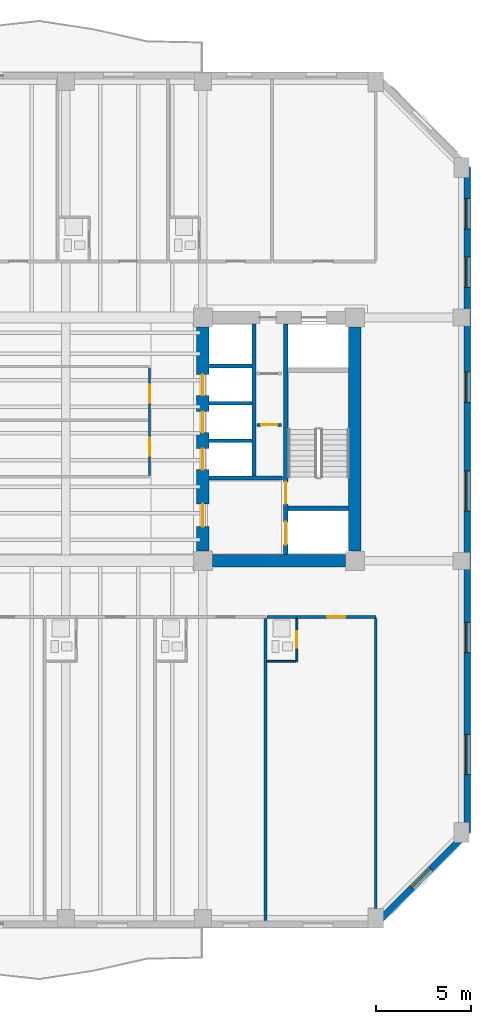
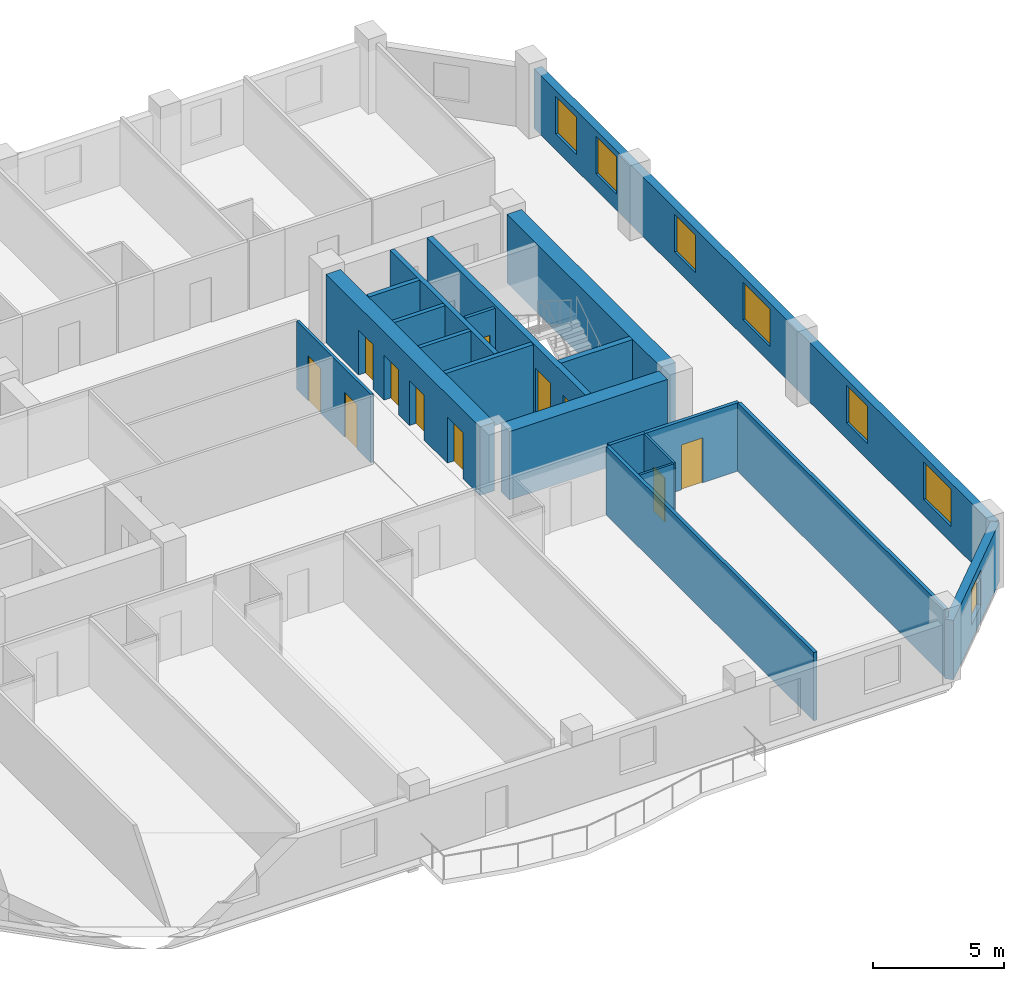
# One storey, part 4 of 11: 20 walls, 11 doors, 7 windows, 18 openings.
"""IFC4 building model written with IfcOpenShell, lengths in metres."""

from ifc_helpers import new_model, si_unit, direction, frame, frame_2d, origin, place, context, subcontext, project, spatial, rectangle, extrude, material, layer, layer_set, type_object, element, fill, save


model = new_model("IFC4")

# Units and contexts
model_context = context("Model", 3, precision=1e-05, world=origin(), true_north=direction((0.0, 1.0)))
body_context = subcontext(model_context, "Body", "Model", "MODEL_VIEW")
ifc_project = project(units=[si_unit("LENGTHUNIT", "METRE"), si_unit("AREAUNIT", "SQUARE_METRE"), si_unit("VOLUMEUNIT", "CUBIC_METRE"), si_unit("PLANEANGLEUNIT", "RADIAN"), si_unit("MASSUNIT", "GRAM", prefix="KILO")], contexts=[model_context])

# Site, building, storey
site_placement = place(None, origin())
site = spatial("IfcSite", under=ifc_project, at=site_placement, CompositionType="ELEMENT")
building_placement = place(site_placement, origin())
building = spatial("IfcBuilding", under=site, at=building_placement, Name="Kranthara Brick Stack", CompositionType="ELEMENT")
storey_placement = place(building_placement, frame((0.0, 0.0, 134.300048828125)))
storey = spatial("IfcBuildingStorey", under=building, at=storey_placement, Name="L33", CompositionType="ELEMENT", Elevation=134.300048828125)

# Wall, openings, windows
ifc_material_1 = material(Name="Kiln-fired clay brick masonry M15", Category="masonry")
ifc_layer_1 = layer(ifc_material_1, 0.35009765625)
ifc_layer_set_1 = layer_set([ifc_layer_1], Name="Kiln-fired clay brick masonry M15")
wall_type_1 = type_object("IfcWallType", Name="WL-BRK-SPND-350", PredefinedType="STANDARD", material=ifc_layer_set_1)
wall_1_placement = place(storey_placement, frame((49.10498046875, 41.5, 0.0), z_axis=(0.0, 0.0, 1.0), x_axis=(0.0, -1.0, 0.0)))
wall_1 = element("IfcWall", 1, at=wall_1_placement, inside=storey, type_object=wall_type_1, Name="L33 Exterior Brick Facade Wall EAST 1", PredefinedType="STANDARD", context=body_context, shape_type="SweptSolid", body=[
    extrude(rectangle(XDim=35.0, YDim=0.35009765625, at=frame_2d((17.5, 0.0))), origin(), (0.0, 0.0, 1.0), 2.784912109375),
])
opening_1_placement = place(wall_1_placement, frame((1.64501953125, 0.0, 0.75)))
opening_1 = element("IfcOpeningElement", 2, at=opening_1_placement, cuts=wall_1, Name="Opening WN04", PredefinedType="OPENING", context=body_context, shape_type="SweptSolid", body=[
    extrude(rectangle(XDim=1.60009765625, YDim=1.75, at=frame_2d((0.800048828125, 0.875))), frame((0.0, 0.18505859375, 0.0), z_axis=(0.0, -1.0, 0.0), x_axis=(1.0, 0.0, 0.0)), (0.0, 0.0, 1.0), 0.3701171875),
])
opening_2_placement = place(wall_1_placement, frame((4.72900390625, 0.0, 0.75)))
opening_2 = element("IfcOpeningElement", 3, at=opening_2_placement, cuts=wall_1, Name="Opening WN04", PredefinedType="OPENING", context=body_context, shape_type="SweptSolid", body=[
    extrude(rectangle(XDim=1.60009765625, YDim=1.75, at=frame_2d((0.800048828125, 0.875))), frame((0.0, 0.18505859375, 0.0), z_axis=(0.0, -1.0, 0.0), x_axis=(1.0, 0.0, 0.0)), (0.0, 0.0, 1.0), 0.3701171875),
])
opening_3_placement = place(wall_1_placement, frame((10.763916015625, 0.0, 0.75)))
opening_3 = element("IfcOpeningElement", 4, at=opening_3_placement, cuts=wall_1, Name="Opening WN04", PredefinedType="OPENING", context=body_context, shape_type="SweptSolid", body=[
    extrude(rectangle(XDim=1.60009765625, YDim=1.75, at=frame_2d((0.800048828125, 0.875))), frame((0.0, 0.18505859375, 0.0), z_axis=(0.0, -1.0, 0.0), x_axis=(1.0, 0.0, 0.0)), (0.0, 0.0, 1.0), 0.3701171875),
])
opening_4_placement = place(wall_1_placement, frame((15.986083984375, 0.0, 0.75)))
opening_4 = element("IfcOpeningElement", 5, at=opening_4_placement, cuts=wall_1, Name="Opening WN05", PredefinedType="OPENING", context=body_context, shape_type="SweptSolid", body=[
    extrude(rectangle(XDim=2.10009765625, YDim=1.75, at=frame_2d((1.050048828125, 0.875))), frame((0.0, 0.18505859375, 0.0), z_axis=(0.0, -1.0, 0.0), x_axis=(1.0, 0.0, 0.0)), (0.0, 0.0, 1.0), 0.3701171875),
])
opening_5_placement = place(wall_1_placement, frame((23.93408203125, 0.0, 0.75)))
opening_5 = element("IfcOpeningElement", 6, at=opening_5_placement, cuts=wall_1, Name="Opening WN04", PredefinedType="OPENING", context=body_context, shape_type="SweptSolid", body=[
    extrude(rectangle(XDim=1.60009765625, YDim=1.75, at=frame_2d((0.800048828125, 0.875))), frame((0.0, 0.18505859375, 0.0), z_axis=(0.0, -1.0, 0.0), x_axis=(1.0, 0.0, 0.0)), (0.0, 0.0, 1.0), 0.3701171875),
])
opening_6_placement = place(wall_1_placement, frame((29.841064453125, 0.0, 0.75)))
opening_6 = element("IfcOpeningElement", 7, at=opening_6_placement, cuts=wall_1, Name="Opening WN05", PredefinedType="OPENING", context=body_context, shape_type="SweptSolid", body=[
    extrude(rectangle(XDim=2.10009765625, YDim=1.75, at=frame_2d((1.050048828125, 0.875))), frame((0.0, 0.18505859375, 0.0), z_axis=(0.0, -1.0, 0.0), x_axis=(1.0, 0.0, 0.0)), (0.0, 0.0, 1.0), 0.3701171875),
])
ifc_material_2 = material(Name="Double-glazed low-E solar control glass", Category="glass")
window_type_1 = type_object("IfcWindowType", Name="WN-HTL-1600x1850", PartitioningType="DOUBLE_PANEL_VERTICAL", PredefinedType="WINDOW", material=ifc_material_2)
window_1_placement = place(opening_1_placement, origin())
window_1 = element("IfcWindow", 8, at=window_1_placement, inside=storey, type_object=window_type_1, Name="L33 East Deep-Set Brick Window 01", OverallHeight=1.75, OverallWidth=1.60009765625, PartitioningType="SINGLE_PANEL", PredefinedType="WINDOW", context=body_context, shape_type="SweptSolid", body=[
    extrude(rectangle(XDim=1.60009765625, YDim=1.75, at=frame_2d((0.800048828125, 0.875))), frame((0.0, -0.010009765625, 0.0), z_axis=(0.0, -1.0, 0.0), x_axis=(1.0, 0.0, 0.0)), (0.0, 0.0, 1.0), 0.06005859375),
])
fill(opening_1, window_1)
window_2_placement = place(opening_2_placement, origin())
window_2 = element("IfcWindow", 9, at=window_2_placement, inside=storey, type_object=window_type_1, Name="L33 East Deep-Set Brick Window 02", OverallHeight=1.75, OverallWidth=1.60009765625, PartitioningType="SINGLE_PANEL", PredefinedType="WINDOW", context=body_context, shape_type="SweptSolid", body=[
    extrude(rectangle(XDim=1.60009765625, YDim=1.75, at=frame_2d((0.800048828125, 0.875))), frame((0.0, -0.010009765625, 0.0), z_axis=(0.0, -1.0, 0.0), x_axis=(1.0, 0.0, 0.0)), (0.0, 0.0, 1.0), 0.06005859375),
])
fill(opening_2, window_2)
window_3_placement = place(opening_3_placement, origin())
window_3 = element("IfcWindow", 10, at=window_3_placement, inside=storey, type_object=window_type_1, Name="L33 East Deep-Set Brick Window 03", OverallHeight=1.75, OverallWidth=1.60009765625, PartitioningType="SINGLE_PANEL", PredefinedType="WINDOW", context=body_context, shape_type="SweptSolid", body=[
    extrude(rectangle(XDim=1.60009765625, YDim=1.75, at=frame_2d((0.800048828125, 0.875))), frame((0.0, -0.010009765625, 0.0), z_axis=(0.0, -1.0, 0.0), x_axis=(1.0, 0.0, 0.0)), (0.0, 0.0, 1.0), 0.06005859375),
])
fill(opening_3, window_3)
window_4_placement = place(opening_5_placement, origin())
window_4 = element("IfcWindow", 11, at=window_4_placement, inside=storey, type_object=window_type_1, Name="L33 East Deep-Set Brick Window 05", OverallHeight=1.75, OverallWidth=1.60009765625, PartitioningType="SINGLE_PANEL", PredefinedType="WINDOW", context=body_context, shape_type="SweptSolid", body=[
    extrude(rectangle(XDim=1.60009765625, YDim=1.75, at=frame_2d((0.800048828125, 0.875))), frame((0.0, -0.010009765625, 0.0), z_axis=(0.0, -1.0, 0.0), x_axis=(1.0, 0.0, 0.0)), (0.0, 0.0, 1.0), 0.06005859375),
])
fill(opening_5, window_4)
ifc_material_3 = material(Name="Double-glazed low-E solar control glass", Category="glass")
window_type_2 = type_object("IfcWindowType", Name="WN-HTL-2100x1850", PartitioningType="DOUBLE_PANEL_VERTICAL", PredefinedType="WINDOW", material=ifc_material_3)
window_5_placement = place(opening_4_placement, origin())
window_5 = element("IfcWindow", 12, at=window_5_placement, inside=storey, type_object=window_type_2, Name="L33 East Deep-Set Brick Window 04", OverallHeight=1.75, OverallWidth=2.10009765625, PartitioningType="SINGLE_PANEL", PredefinedType="WINDOW", context=body_context, shape_type="SweptSolid", body=[
    extrude(rectangle(XDim=2.10009765625, YDim=1.75, at=frame_2d((1.050048828125, 0.875))), frame((0.0, -0.010009765625, 0.0), z_axis=(0.0, -1.0, 0.0), x_axis=(1.0, 0.0, 0.0)), (0.0, 0.0, 1.0), 0.06005859375),
])
fill(opening_4, window_5)
window_6_placement = place(opening_6_placement, origin())
window_6 = element("IfcWindow", 13, at=window_6_placement, inside=storey, type_object=window_type_2, Name="L33 East Deep-Set Brick Window 06", OverallHeight=1.75, OverallWidth=2.10009765625, PartitioningType="SINGLE_PANEL", PredefinedType="WINDOW", context=body_context, shape_type="SweptSolid", body=[
    extrude(rectangle(XDim=2.10009765625, YDim=1.75, at=frame_2d((1.050048828125, 0.875))), frame((0.0, -0.010009765625, 0.0), z_axis=(0.0, -1.0, 0.0), x_axis=(1.0, 0.0, 0.0)), (0.0, 0.0, 1.0), 0.06005859375),
])
fill(opening_6, window_6)

# Wall, opening, window
wall_2_placement = place(storey_placement, frame((49.10498046875, 6.5, 0.0), z_axis=(0.0, 0.0, 1.0), x_axis=(-0.707106781187, -0.707106781187, 0.0)))
wall_2 = element("IfcWall", 14, at=wall_2_placement, inside=storey, type_object=wall_type_1, Name="L33 Exterior Brick Facade Wall SE 1", PredefinedType="STANDARD", context=body_context, shape_type="SweptSolid", body=[
    extrude(rectangle(XDim=6.795166015625, YDim=0.35009765625, at=frame_2d((3.3974609375, 0.0))), origin(), (0.0, 0.0, 1.0), 2.784912109375),
])
opening_7_placement = place(wall_2_placement, frame((2.697998046875, 0.0, 0.75)))
opening_7 = element("IfcOpeningElement", 15, at=opening_7_placement, cuts=wall_2, Name="Opening WN10", PredefinedType="OPENING", context=body_context, shape_type="SweptSolid", body=[
    extrude(rectangle(XDim=1.39990234375, YDim=1.64990234375, at=frame_2d((0.699951171875, 0.824951171875))), frame((0.0, 0.18505859375, 0.0), z_axis=(0.0, -1.0, 0.0), x_axis=(1.0, 0.0, 0.0)), (0.0, 0.0, 1.0), 0.3701171875),
])
ifc_material_4 = material(Name="Double-glazed low-E solar control glass", Category="glass")
window_type_3 = type_object("IfcWindowType", Name="WN-CHM-1400x1750", PartitioningType="SINGLE_PANEL", PredefinedType="WINDOW", material=ifc_material_4)
window_7_placement = place(opening_7_placement, origin())
window_7 = element("IfcWindow", 16, at=window_7_placement, inside=storey, type_object=window_type_3, Name="L33 SE Chamfer Corner Window", OverallHeight=1.64990234375, OverallWidth=1.39990234375, PartitioningType="SINGLE_PANEL", PredefinedType="WINDOW", context=body_context, shape_type="SweptSolid", body=[
    extrude(rectangle(XDim=1.39990234375, YDim=1.64990234375, at=frame_2d((0.699951171875, 0.824951171875))), frame((0.0, -0.010009765625, 0.0), z_axis=(0.0, -1.0, 0.0), x_axis=(1.0, 0.0, 0.0)), (0.0, 0.0, 1.0), 0.06005859375),
])
fill(opening_7, window_7)

# Wall, openings, doors
ifc_material_5 = material(Name="Concrete C50/60", Category="concrete")
ifc_layer_2 = layer(ifc_material_5, 0.25)
ifc_layer_set_2 = layer_set([ifc_layer_2], Name="Concrete C50/60")
wall_type_2 = type_object("IfcWallType", Name="WL-CORE-250", PredefinedType="SHEAR", material=ifc_layer_set_2)
wall_3_placement = place(storey_placement, frame((39.56494140625, 21.135009765625, 0.0), z_axis=(0.0, 0.0, 1.0), x_axis=(0.0, 1.0, 0.0)))
wall_3 = element("IfcWall", 17, at=wall_3_placement, inside=storey, type_object=wall_type_2, Name="L33 East Core Stair Bearing Spine Wall", PredefinedType="SHEAR", context=body_context, shape_type="SweptSolid", body=[
    extrude(rectangle(XDim=12.1298828125, YDim=0.25, at=frame_2d((6.06494140625, 0.0))), origin(), (0.0, 0.0, 1.0), 3.199951171875),
])
opening_8_placement = place(wall_3_placement, frame((0.514892578125, 0.0, 0.0)))
opening_8 = element("IfcOpeningElement", 18, at=opening_8_placement, cuts=wall_3, Name="Opening LD01", PredefinedType="OPENING", context=body_context, shape_type="SweptSolid", body=[
    extrude(rectangle(XDim=1.199951171875, YDim=2.14990234375, at=frame_2d((0.60009765625, 1.074951171875))), frame((0.0, 0.135009765625, 0.0), z_axis=(0.0, -1.0, 0.0), x_axis=(1.0, 0.0, 0.0)), (0.0, 0.0, 1.0), 0.27001953125),
])
opening_9_placement = place(wall_3_placement, frame((2.6650390625, 0.0, 0.0)))
opening_9 = element("IfcOpeningElement", 19, at=opening_9_placement, cuts=wall_3, Name="Opening D05", PredefinedType="OPENING", context=body_context, shape_type="SweptSolid", body=[
    extrude(rectangle(XDim=1.14990234375, YDim=2.14990234375, at=frame_2d((0.574951171875, 1.074951171875))), frame((0.0, 0.135009765625, 0.0), z_axis=(0.0, -1.0, 0.0), x_axis=(1.0, 0.0, 0.0)), (0.0, 0.0, 1.0), 0.27001953125),
])
ifc_material_6 = material(Name="Stainless steel sliding landing door", Category="steel")
door_type_1 = type_object("IfcDoorType", Name="DR-LD-FF1200", OperationType="DOUBLE_DOOR_SLIDING", PredefinedType="DOOR", material=ifc_material_6)
door_1_placement = place(opening_8_placement, origin())
door_1 = element("IfcDoor", 20, at=door_1_placement, inside=storey, type_object=door_type_1, Name="L33 Firefighting Lift FF-02 Landing Door", OperationType="DOUBLE_DOOR_SLIDING", OverallHeight=2.14990234375, OverallWidth=1.199951171875, PredefinedType="DOOR", context=body_context, shape_type="SweptSolid", body=[
    extrude(rectangle(XDim=1.199951171875, YDim=2.14990234375, at=frame_2d((0.60009765625, 1.074951171875))), frame((0.0, 0.02490234375, 0.0), z_axis=(0.0, -1.0, 0.0), x_axis=(1.0, 0.0, 0.0)), (0.0, 0.0, 1.0), 0.050048828125),
])
fill(opening_8, door_1)
ifc_material_7 = material(Name="Solid-core hardwood timber leaf in steel frame", Category="steel")
door_type_2 = type_object("IfcDoorType", Name="DR-ST-1150", OperationType="NOTDEFINED", PredefinedType="DOOR", material=ifc_material_7)
door_2_placement = place(opening_9_placement, origin())
door_2 = element("IfcDoor", 21, at=door_2_placement, inside=storey, type_object=door_type_2, Name="L33 Exit Stair ST02 Door", OperationType="SINGLE_SWING_LEFT", OverallHeight=2.14990234375, OverallWidth=1.14990234375, PredefinedType="DOOR", context=body_context, shape_type="SweptSolid", body=[
    extrude(rectangle(XDim=1.14990234375, YDim=2.14990234375, at=frame_2d((0.574951171875, 1.074951171875))), frame((0.0, 0.02490234375, 0.0), z_axis=(0.0, -1.0, 0.0), x_axis=(1.0, 0.0, 0.0)), (0.0, 0.0, 1.0), 0.050048828125),
])
fill(opening_9, door_2)

# Walls
wall_4_placement = place(storey_placement, frame((39.68994140625, 23.570068359375, 0.0), z_axis=(0.0, 0.0, 1.0), x_axis=(1.0, 0.0, 0.0)))
element("IfcWall", 22, at=wall_4_placement, inside=storey, type_object=wall_type_2, Name="L33 East Stairwell Bearing Wall EFF", PredefinedType="SHEAR", context=body_context, shape_type="SweptSolid", body=[
    extrude(rectangle(XDim=3.175048828125, YDim=0.25, at=frame_2d((1.58740234375, 0.0))), origin(), (0.0, 0.0, 1.0), 3.199951171875),
])
ifc_material_8 = material(Name="Concrete C60/75", Category="concrete")
ifc_layer_3 = layer(ifc_material_8, 0.64990234375)
ifc_layer_set_3 = layer_set([ifc_layer_3], Name="Concrete C60/75")
wall_type_3 = type_object("IfcWallType", Name="WL-CORE-650", PredefinedType="SHEAR", material=ifc_layer_set_3)
wall_5_placement = place(storey_placement, frame((43.199951171875, 21.304931640625, 0.0), z_axis=(0.0, 0.0, 1.0), x_axis=(0.0, 1.0, 0.0)))
element("IfcWall", 23, at=wall_5_placement, inside=storey, type_object=wall_type_3, Name="L33 East Core Shear Wall East", PredefinedType="SHEAR", context=body_context, shape_type="SweptSolid", body=[
    extrude(rectangle(XDim=11.7900390625, YDim=0.64990234375, at=frame_2d((5.89501953125, 0.0))), origin(), (0.0, 0.0, 1.0), 3.199951171875),
])
wall_6_placement = place(storey_placement, frame((35.705078125, 20.800048828125, 0.0), z_axis=(0.0, 0.0, 1.0), x_axis=(1.0, 0.0, 0.0)))
element("IfcWall", 24, at=wall_6_placement, inside=storey, type_object=wall_type_3, Name="L33 East Core Shear Wall South", PredefinedType="SHEAR", context=body_context, shape_type="SweptSolid", body=[
    extrude(rectangle(XDim=6.989990234375, YDim=0.64990234375, at=frame_2d((3.4951171875, 0.0))), origin(), (0.0, 0.0, 1.0), 3.199951171875),
])

# Wall, openings, doors
wall_7_placement = place(storey_placement, frame((35.199951171875, 21.304931640625, 0.0), z_axis=(0.0, 0.0, 1.0), x_axis=(0.0, 1.0, 0.0)))
wall_7 = element("IfcWall", 25, at=wall_7_placement, inside=storey, type_object=wall_type_3, Name="L33 East Core Shear Wall West", PredefinedType="SHEAR", context=body_context, shape_type="SweptSolid", body=[
    extrude(rectangle(XDim=11.7900390625, YDim=0.64990234375, at=frame_2d((5.89501953125, 0.0))), origin(), (0.0, 0.0, 1.0), 3.199951171875),
])
opening_10_placement = place(wall_7_placement, frame((1.294921875, 0.0, 0.0)))
opening_10 = element("IfcOpeningElement", 26, at=opening_10_placement, cuts=wall_7, Name="Opening D06", PredefinedType="OPENING", context=body_context, shape_type="SweptSolid", body=[
    extrude(rectangle(XDim=1.199951171875, YDim=2.14990234375, at=frame_2d((0.60009765625, 1.074951171875))), frame((0.0, 0.3349609375, 0.0), z_axis=(0.0, -1.0, 0.0), x_axis=(1.0, 0.0, 0.0)), (0.0, 0.0, 1.0), 0.669921875),
])
opening_11_placement = place(wall_7_placement, frame((4.294921875, 0.0, 0.0)))
opening_11 = element("IfcOpeningElement", 27, at=opening_11_placement, cuts=wall_7, Name="Opening LD02", PredefinedType="OPENING", context=body_context, shape_type="SweptSolid", body=[
    extrude(rectangle(XDim=1.10009765625, YDim=2.10009765625, at=frame_2d((0.550048828125, 1.050048828125))), frame((0.0, 0.3349609375, 0.0), z_axis=(0.0, -1.0, 0.0), x_axis=(1.0, 0.0, 0.0)), (0.0, 0.0, 1.0), 0.669921875),
])
opening_12_placement = place(wall_7_placement, frame((6.2451171875, 0.0, 0.0)))
opening_12 = element("IfcOpeningElement", 28, at=opening_12_placement, cuts=wall_7, Name="Opening LD02", PredefinedType="OPENING", context=body_context, shape_type="SweptSolid", body=[
    extrude(rectangle(XDim=1.10009765625, YDim=2.10009765625, at=frame_2d((0.550048828125, 1.050048828125))), frame((0.0, 0.3349609375, 0.0), z_axis=(0.0, -1.0, 0.0), x_axis=(1.0, 0.0, 0.0)), (0.0, 0.0, 1.0), 0.669921875),
])
opening_13_placement = place(wall_7_placement, frame((8.195068359375, 0.0, 0.0)))
opening_13 = element("IfcOpeningElement", 29, at=opening_13_placement, cuts=wall_7, Name="Opening LD02", PredefinedType="OPENING", context=body_context, shape_type="SweptSolid", body=[
    extrude(rectangle(XDim=1.10009765625, YDim=2.10009765625, at=frame_2d((0.550048828125, 1.050048828125))), frame((0.0, 0.3349609375, 0.0), z_axis=(0.0, -1.0, 0.0), x_axis=(1.0, 0.0, 0.0)), (0.0, 0.0, 1.0), 0.669921875),
])
ifc_material_9 = material(Name="Solid-core hardwood timber leaf in steel frame", Category="steel")
door_type_3 = type_object("IfcDoorType", Name="DR-FFL-1200", OperationType="NOTDEFINED", PredefinedType="DOOR", material=ifc_material_9)
door_3_placement = place(opening_10_placement, origin())
door_3 = element("IfcDoor", 30, at=door_3_placement, inside=storey, type_object=door_type_3, Name="L33 East Firefighting Lobby Door", OperationType="SINGLE_SWING_RIGHT", OverallHeight=2.14990234375, OverallWidth=1.199951171875, PredefinedType="DOOR", context=body_context, shape_type="SweptSolid", body=[
    extrude(rectangle(XDim=1.199951171875, YDim=2.14990234375, at=frame_2d((0.60009765625, 1.074951171875))), frame((0.0, 0.02490234375, 0.0), z_axis=(0.0, -1.0, 0.0), x_axis=(1.0, 0.0, 0.0)), (0.0, 0.0, 1.0), 0.050048828125),
])
fill(opening_10, door_3)
ifc_material_10 = material(Name="Stainless steel sliding landing door", Category="steel")
door_type_4 = type_object("IfcDoorType", Name="DR-LD-PL1100", OperationType="DOUBLE_DOOR_SLIDING", PredefinedType="DOOR", material=ifc_material_10)
door_4_placement = place(opening_11_placement, origin())
door_4 = element("IfcDoor", 31, at=door_4_placement, inside=storey, type_object=door_type_4, Name="L33 PL-04 Lift Landing Door", OperationType="DOUBLE_DOOR_SLIDING", OverallHeight=2.10009765625, OverallWidth=1.10009765625, PredefinedType="DOOR", context=body_context, shape_type="SweptSolid", body=[
    extrude(rectangle(XDim=1.10009765625, YDim=2.10009765625, at=frame_2d((0.550048828125, 1.050048828125))), frame((0.0, 0.02490234375, 0.0), z_axis=(0.0, -1.0, 0.0), x_axis=(1.0, 0.0, 0.0)), (0.0, 0.0, 1.0), 0.050048828125),
])
fill(opening_11, door_4)
door_5_placement = place(opening_12_placement, origin())
door_5 = element("IfcDoor", 32, at=door_5_placement, inside=storey, type_object=door_type_4, Name="L33 PL-05 Lift Landing Door", OperationType="DOUBLE_DOOR_SLIDING", OverallHeight=2.10009765625, OverallWidth=1.10009765625, PredefinedType="DOOR", context=body_context, shape_type="SweptSolid", body=[
    extrude(rectangle(XDim=1.10009765625, YDim=2.10009765625, at=frame_2d((0.550048828125, 1.050048828125))), frame((0.0, 0.02490234375, 0.0), z_axis=(0.0, -1.0, 0.0), x_axis=(1.0, 0.0, 0.0)), (0.0, 0.0, 1.0), 0.050048828125),
])
fill(opening_12, door_5)
door_6_placement = place(opening_13_placement, origin())
door_6 = element("IfcDoor", 33, at=door_6_placement, inside=storey, type_object=door_type_4, Name="L33 PL-06 Lift Landing Door", OperationType="DOUBLE_DOOR_SLIDING", OverallHeight=2.10009765625, OverallWidth=1.10009765625, PredefinedType="DOOR", context=body_context, shape_type="SweptSolid", body=[
    extrude(rectangle(XDim=1.10009765625, YDim=2.10009765625, at=frame_2d((0.550048828125, 1.050048828125))), frame((0.0, 0.02490234375, 0.0), z_axis=(0.0, -1.0, 0.0), x_axis=(1.0, 0.0, 0.0)), (0.0, 0.0, 1.0), 0.050048828125),
])
fill(opening_13, door_6)

# Wall, opening, door
ifc_material_11 = material(Name="Moisture-resistant wet-room partition", Category="other")
ifc_layer_4 = layer(ifc_material_11, 0.10009765625)
ifc_layer_set_4 = layer_set([ifc_layer_4], Name="Moisture-resistant wet-room partition")
wall_type_4 = type_object("IfcWallType", Name="WL-PART-100", PredefinedType="PARTITIONING", material=ifc_layer_set_4)
wall_8_placement = place(storey_placement, frame((40.14404296875, 15.52001953125, 0.0), z_axis=(0.0, 0.0, 1.0), x_axis=(0.0, 1.0, 0.0)))
wall_8 = element("IfcWall", 34, at=wall_8_placement, inside=storey, type_object=wall_type_4, Name="L33 Interior Partition 037", PredefinedType="PARTITIONING", context=body_context, shape_type="SweptSolid", body=[
    extrude(rectangle(XDim=2.25, YDim=0.10009765625, at=frame_2d((1.125, 0.0))), origin(), (0.0, 0.0, 1.0), 3.199951171875),
])
opening_14_placement = place(wall_8_placement, frame((0.719970703125, 0.0, 0.0)))
opening_14 = element("IfcOpeningElement", 35, at=opening_14_placement, cuts=wall_8, Name="Opening D17", PredefinedType="OPENING", context=body_context, shape_type="SweptSolid", body=[
    extrude(rectangle(XDim=0.85009765625, YDim=2.050048828125, at=frame_2d((0.425048828125, 1.02490234375))), frame((0.0, 0.06005859375, 0.0), z_axis=(0.0, -1.0, 0.0), x_axis=(1.0, 0.0, 0.0)), (0.0, 0.0, 1.0), 0.1201171875),
])
ifc_material_12 = material(Name="Solid-core hardwood timber leaf in steel frame", Category="steel")
door_type_5 = type_object("IfcDoorType", Name="DR-WET-850", OperationType="NOTDEFINED", PredefinedType="DOOR", material=ifc_material_12)
door_7_placement = place(opening_14_placement, origin())
door_7 = element("IfcDoor", 36, at=door_7_placement, inside=storey, type_object=door_type_5, Name="L33 Key 06 En-Suite Door 17", OperationType="SINGLE_SWING_LEFT", OverallHeight=2.050048828125, OverallWidth=0.85009765625, PredefinedType="DOOR", context=body_context, shape_type="SweptSolid", body=[
    extrude(rectangle(XDim=0.85009765625, YDim=2.050048828125, at=frame_2d((0.425048828125, 1.02490234375))), frame((0.0, 0.02490234375, 0.0), z_axis=(0.0, -1.0, 0.0), x_axis=(1.0, 0.0, 0.0)), (0.0, 0.0, 1.0), 0.050048828125),
])
fill(opening_14, door_7)

# Wall
wall_9_placement = place(storey_placement, frame((38.573974609375, 15.52001953125, 0.0), z_axis=(0.0, 0.0, 1.0), x_axis=(1.0, 0.0, 0.0)))
element("IfcWall", 37, at=wall_9_placement, inside=storey, type_object=wall_type_4, Name="L33 Interior Partition 038", PredefinedType="PARTITIONING", context=body_context, shape_type="SweptSolid", body=[
    extrude(rectangle(XDim=1.51513671875, YDim=0.10009765625, at=frame_2d((0.757568359375, 0.0))), origin(), (0.0, 0.0, 1.0), 3.199951171875),
])

# Wall, openings, doors
ifc_material_13 = material(Name="Acoustic gypsum plasterboard partition", Category="other")
ifc_layer_5 = layer(ifc_material_13, 0.1201171875)
ifc_layer_set_5 = layer_set([ifc_layer_5], Name="Acoustic gypsum plasterboard partition")
wall_type_5 = type_object("IfcWallType", Name="WL-PART-120", PredefinedType="PARTITIONING", material=ifc_layer_set_5)
wall_10_placement = place(storey_placement, frame((32.39990234375, 25.284912109375, 0.0), z_axis=(0.0, 0.0, 1.0), x_axis=(0.0, 1.0, 0.0)))
wall_10 = element("IfcWall", 38, at=wall_10_placement, inside=storey, type_object=wall_type_5, Name="L33 Interior Partition 006", PredefinedType="PARTITIONING", context=body_context, shape_type="SweptSolid", body=[
    extrude(rectangle(XDim=5.670166015625, YDim=0.1201171875, at=frame_2d((2.8349609375, 0.0))), origin(), (0.0, 0.0, 1.0), 3.199951171875),
])
opening_15_placement = place(wall_10_placement, frame((1.034912109375, 0.0, 0.0)))
opening_15 = element("IfcOpeningElement", 39, at=opening_15_placement, cuts=wall_10, Name="Opening D14", PredefinedType="OPENING", context=body_context, shape_type="SweptSolid", body=[
    extrude(rectangle(XDim=0.949951171875, YDim=2.10009765625, at=frame_2d((0.47509765625, 1.050048828125))), frame((0.0, 0.070068359375, 0.0), z_axis=(0.0, -1.0, 0.0), x_axis=(1.0, 0.0, 0.0)), (0.0, 0.0, 1.0), 0.14013671875),
])
opening_16_placement = place(wall_10_placement, frame((3.8349609375, 0.0, 0.0)))
opening_16 = element("IfcOpeningElement", 40, at=opening_16_placement, cuts=wall_10, Name="Opening D14", PredefinedType="OPENING", context=body_context, shape_type="SweptSolid", body=[
    extrude(rectangle(XDim=0.949951171875, YDim=2.10009765625, at=frame_2d((0.47509765625, 1.050048828125))), frame((0.0, 0.070068359375, 0.0), z_axis=(0.0, -1.0, 0.0), x_axis=(1.0, 0.0, 0.0)), (0.0, 0.0, 1.0), 0.14013671875),
])
ifc_material_14 = material(Name="Solid-core hardwood timber leaf in steel frame", Category="steel")
door_type_6 = type_object("IfcDoorType", Name="DR-INT-950", OperationType="NOTDEFINED", PredefinedType="DOOR", material=ifc_material_14)
door_8_placement = place(opening_15_placement, origin())
door_8 = element("IfcDoor", 41, at=door_8_placement, inside=storey, type_object=door_type_6, Name="L33 Housekeeping Linen Door 05", OperationType="SINGLE_SWING_LEFT", OverallHeight=2.10009765625, OverallWidth=0.949951171875, PredefinedType="DOOR", context=body_context, shape_type="SweptSolid", body=[
    extrude(rectangle(XDim=0.949951171875, YDim=2.10009765625, at=frame_2d((0.47509765625, 1.050048828125))), frame((0.0, 0.02490234375, 0.0), z_axis=(0.0, -1.0, 0.0), x_axis=(1.0, 0.0, 0.0)), (0.0, 0.0, 1.0), 0.050048828125),
])
fill(opening_15, door_8)
door_9_placement = place(opening_16_placement, origin())
door_9 = element("IfcDoor", 42, at=door_9_placement, inside=storey, type_object=door_type_6, Name="L33 Pantry Door 06", OperationType="SINGLE_SWING_RIGHT", OverallHeight=2.10009765625, OverallWidth=0.949951171875, PredefinedType="DOOR", context=body_context, shape_type="SweptSolid", body=[
    extrude(rectangle(XDim=0.949951171875, YDim=2.10009765625, at=frame_2d((0.47509765625, 1.050048828125))), frame((0.0, 0.02490234375, 0.0), z_axis=(0.0, -1.0, 0.0), x_axis=(1.0, 0.0, 0.0)), (0.0, 0.0, 1.0), 0.050048828125),
])
fill(opening_16, door_9)

# Wall, opening, door
ifc_material_15 = material(Name="Fire-rated gypsum board partition", Category="other")
ifc_layer_6 = layer(ifc_material_15, 0.14990234375)
ifc_layer_set_6 = layer_set([ifc_layer_6], Name="Fire-rated gypsum board partition")
wall_type_6 = type_object("IfcWallType", Name="WL-PART-150", PredefinedType="PARTITIONING", material=ifc_layer_set_6)
wall_11_placement = place(storey_placement, frame((38.050048828125, 27.949951171875, 0.0), z_axis=(0.0, 0.0, 1.0), x_axis=(1.0, 0.0, 0.0)))
wall_11 = element("IfcWall", 43, at=wall_11_placement, inside=storey, type_object=wall_type_6, Name="L33 Interior Partition 002", PredefinedType="PARTITIONING", context=body_context, shape_type="SweptSolid", body=[
    extrude(rectangle(XDim=1.300048828125, YDim=0.14990234375, at=frame_2d((0.64990234375, 0.0))), origin(), (0.0, 0.0, 1.0), 3.199951171875),
])
opening_17_placement = place(wall_11_placement, frame((0.219970703125, 0.0, 0.0)))
opening_17 = element("IfcOpeningElement", 44, at=opening_17_placement, cuts=wall_11, Name="Opening D10", PredefinedType="OPENING", context=body_context, shape_type="SweptSolid", body=[
    extrude(rectangle(XDim=0.85009765625, YDim=2.02001953125, at=frame_2d((0.425048828125, 1.010009765625))), frame((0.0, 0.0849609375, 0.0), z_axis=(0.0, -1.0, 0.0), x_axis=(1.0, 0.0, 0.0)), (0.0, 0.0, 1.0), 0.169921875),
])
ifc_material_16 = material(Name="Solid-core hardwood timber leaf in steel frame", Category="steel")
door_type_7 = type_object("IfcDoorType", Name="DR-RSR-850", OperationType="NOTDEFINED", PredefinedType="DOOR", material=ifc_material_16)
door_10_placement = place(opening_17_placement, origin())
door_10 = element("IfcDoor", 45, at=door_10_placement, inside=storey, type_object=door_type_7, Name="L33 Riser Door 1 02", OperationType="SINGLE_SWING_RIGHT", OverallHeight=2.02001953125, OverallWidth=0.85009765625, PredefinedType="DOOR", context=body_context, shape_type="SweptSolid", body=[
    extrude(rectangle(XDim=0.85009765625, YDim=2.02001953125, at=frame_2d((0.425048828125, 1.010009765625))), frame((0.0, 0.02490234375, 0.0), z_axis=(0.0, -1.0, 0.0), x_axis=(1.0, 0.0, 0.0)), (0.0, 0.0, 1.0), 0.050048828125),
])
fill(opening_17, door_10)

# Walls
wall_12_placement = place(storey_placement, frame((38.493896484375, 1.875, 0.0), z_axis=(0.0, 0.0, 1.0), x_axis=(0.0, 1.0, 0.0)))
element("IfcWall", 46, at=wall_12_placement, inside=storey, type_object=wall_type_6, Name="L33 Interior Partition 034", PredefinedType="PARTITIONING", context=body_context, shape_type="SweptSolid", body=[
    extrude(rectangle(XDim=15.89501953125, YDim=0.14990234375, at=frame_2d((7.947509765625, 0.0))), origin(), (0.0, 0.0, 1.0), 3.199951171875),
])
wall_13_placement = place(storey_placement, frame((38.573974609375, 17.85009765625, 0.0), z_axis=(0.0, 0.0, 1.0), x_axis=(1.0, 0.0, 0.0)))
element("IfcWall", 47, at=wall_13_placement, inside=storey, type_object=wall_type_6, Name="L33 Interior Partition 035", PredefinedType="PARTITIONING", context=body_context, shape_type="SweptSolid", body=[
    extrude(rectangle(XDim=1.570068359375, YDim=0.14990234375, at=frame_2d((0.78515625, 0.0))), origin(), (0.0, 0.0, 1.0), 3.199951171875),
])

# Wall, opening, door
wall_14_placement = place(storey_placement, frame((40.14404296875, 17.85009765625, 0.0), z_axis=(0.0, 0.0, 1.0), x_axis=(1.0, 0.0, 0.0)))
wall_14 = element("IfcWall", 48, at=wall_14_placement, inside=storey, type_object=wall_type_6, Name="L33 Interior Partition 036", PredefinedType="PARTITIONING", context=body_context, shape_type="SweptSolid", body=[
    extrude(rectangle(XDim=4.156005859375, YDim=0.14990234375, at=frame_2d((2.078125, 0.0))), origin(), (0.0, 0.0, 1.0), 3.199951171875),
])
opening_18_placement = place(wall_14_placement, frame((1.597900390625, 0.0, 0.0)))
opening_18 = element("IfcOpeningElement", 49, at=opening_18_placement, cuts=wall_14, Name="Opening D09", PredefinedType="OPENING", context=body_context, shape_type="SweptSolid", body=[
    extrude(rectangle(XDim=0.949951171875, YDim=2.10009765625, at=frame_2d((0.47509765625, 1.050048828125))), frame((0.0, 0.0849609375, 0.0), z_axis=(0.0, -1.0, 0.0), x_axis=(1.0, 0.0, 0.0)), (0.0, 0.0, 1.0), 0.169921875),
])
ifc_material_17 = material(Name="Solid-core hardwood timber leaf in steel frame", Category="steel")
door_type_8 = type_object("IfcDoorType", Name="DR-FD-950", OperationType="NOTDEFINED", PredefinedType="DOOR", material=ifc_material_17)
door_11_placement = place(opening_18_placement, origin())
door_11 = element("IfcDoor", 50, at=door_11_placement, inside=storey, type_object=door_type_8, Name="L33 Key 06 Entry 18", OperationType="SINGLE_SWING_RIGHT", OverallHeight=2.10009765625, OverallWidth=0.949951171875, PredefinedType="DOOR", context=body_context, shape_type="SweptSolid", body=[
    extrude(rectangle(XDim=0.949951171875, YDim=2.10009765625, at=frame_2d((0.47509765625, 1.050048828125))), frame((0.0, 0.02490234375, 0.0), z_axis=(0.0, -1.0, 0.0), x_axis=(1.0, 0.0, 0.0)), (0.0, 0.0, 1.0), 0.050048828125),
])
fill(opening_18, door_11)

# Walls
wall_15_placement = place(storey_placement, frame((44.300048828125, 1.875, 0.0), z_axis=(0.0, 0.0, 1.0), x_axis=(0.0, 1.0, 0.0)))
element("IfcWall", 51, at=wall_15_placement, inside=storey, type_object=wall_type_6, Name="L33 Interior Partition 039", PredefinedType="PARTITIONING", context=body_context, shape_type="SweptSolid", body=[
    extrude(rectangle(XDim=15.89501953125, YDim=0.14990234375, at=frame_2d((7.947509765625, 0.0))), origin(), (0.0, 0.0, 1.0), 3.199951171875),
])
ifc_material_18 = material(Name="Gypsum plasterboard on acoustic twin stud", Category="other")
ifc_layer_7 = layer(ifc_material_18, 0.179931640625)
ifc_layer_set_7 = layer_set([ifc_layer_7], Name="Gypsum plasterboard on acoustic twin stud")
wall_type_7 = type_object("IfcWallType", Name="WL-PART-180", PredefinedType="PARTITIONING", material=ifc_layer_set_7)
for number, where, z_axis, x_axis, name in (
    (52, (35.534912109375, 27.1201171875, 0.0), (0.0, 0.0, 1.0), (1.0, 0.0, 0.0), "L33 East Hoistway Wall EH1"),
    (53, (35.534912109375, 29.080078125, 0.0), (0.0, 0.0, 1.0), (1.0, 0.0, 0.0), "L33 East Hoistway Wall EH2"),
):
    element("IfcWall", number, at=place(storey_placement, frame(where, z_axis=z_axis, x_axis=x_axis)), inside=storey, type_object=wall_type_7, Name=name, PredefinedType="PARTITIONING", context=body_context, shape_type="SweptSolid", body=[
        extrude(rectangle(XDim=2.2451171875, YDim=0.179931640625, at=frame_2d((1.12255859375, 0.0))), origin(), (0.0, 0.0, 1.0), 3.199951171875),
    ])
ifc_material_19 = material(Name="Concrete C40/50", Category="concrete")
ifc_layer_8 = layer(ifc_material_19, 0.199951171875)
ifc_layer_set_8 = layer_set([ifc_layer_8], Name="Concrete C40/50")
wall_type_8 = type_object("IfcWallType", Name="WL-PART-200", PredefinedType="SOLIDWALL", material=ifc_layer_set_8)
wall_16_placement = place(storey_placement, frame((35.534912109375, 25.14990234375, 0.0), z_axis=(0.0, 0.0, 1.0), x_axis=(1.0, 0.0, 0.0)))
element("IfcWall", 54, at=wall_16_placement, inside=storey, type_object=wall_type_8, Name="L33 East Core Cross Wall EFL", PredefinedType="SOLIDWALL", context=body_context, shape_type="SweptSolid", body=[
    extrude(rectangle(XDim=3.864990234375, YDim=0.199951171875, at=frame_2d((1.9326171875, 0.0))), origin(), (0.0, 0.0, 1.0), 3.199951171875),
])
wall_17_placement = place(storey_placement, frame((35.550048828125, 31.050048828125, 0.0), z_axis=(0.0, 0.0, 1.0), x_axis=(1.0, 0.0, 0.0)))
element("IfcWall", 55, at=wall_17_placement, inside=storey, type_object=wall_type_8, Name="L33 East Core Cross Wall EE4", PredefinedType="SOLIDWALL", context=body_context, shape_type="SweptSolid", body=[
    extrude(rectangle(XDim=2.25, YDim=0.199951171875, at=frame_2d((1.125, 0.0))), origin(), (0.0, 0.0, 1.0), 3.199951171875),
])
wall_18_placement = place(storey_placement, frame((37.89990234375, 25.27001953125, 0.0), z_axis=(0.0, 0.0, 1.0), x_axis=(0.0, 1.0, 0.0)))
element("IfcWall", 56, at=wall_18_placement, inside=storey, type_object=wall_type_8, Name="L33 East Core Cross Wall ESV", PredefinedType="SOLIDWALL", context=body_context, shape_type="SweptSolid", body=[
    extrude(rectangle(XDim=7.994873046875, YDim=0.199951171875, at=frame_2d((3.99755859375, 0.0))), origin(), (0.0, 0.0, 1.0), 3.199951171875),
])

save(model, "model.ifc")
